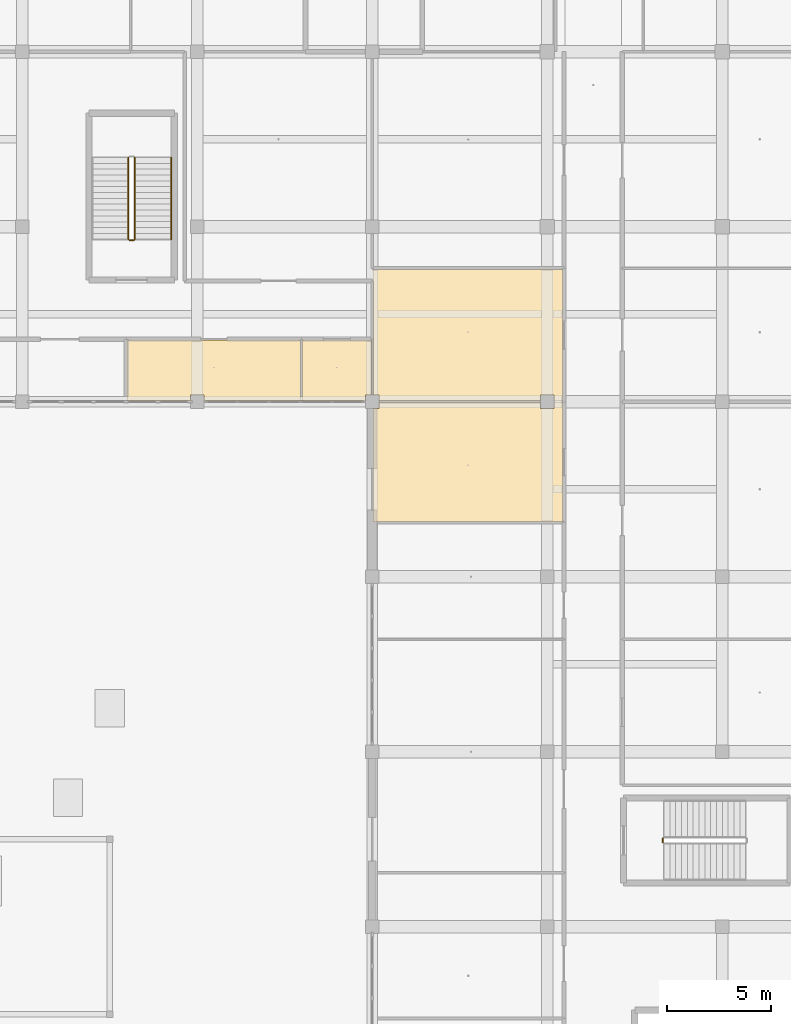
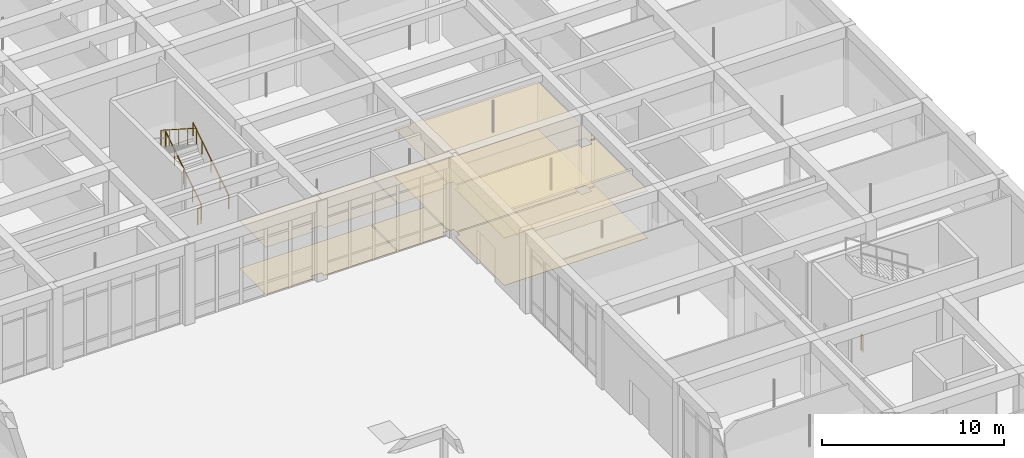
# One storey, part 163 of 167: 8 coverings, 5 railings.
"""IFC4 building model written with IfcOpenShell, lengths in metres."""

from ifc_helpers import new_model, si_unit, direction, frame, origin, origin_2d, place, context, subcontext, project, spatial, polyline, circle, outline, extrude, material, layer, layer_set, type_object, element, save


model = new_model("IFC4")

# Units and contexts
model_context = context("Model", 3, precision=1e-05, world=origin(), true_north=direction((0.0, 1.0)))
body_context = subcontext(model_context, "Body", "Model", "MODEL_VIEW")
ifc_project = project(units=[si_unit("LENGTHUNIT", "METRE"), si_unit("AREAUNIT", "SQUARE_METRE"), si_unit("VOLUMEUNIT", "CUBIC_METRE"), si_unit("PLANEANGLEUNIT", "RADIAN"), si_unit("MASSUNIT", "GRAM", prefix="KILO")], contexts=[model_context])

# Site, building, storey
site_placement = place(None, origin())
site = spatial("IfcSite", under=ifc_project, at=site_placement, CompositionType="ELEMENT")
building_placement = place(site_placement, origin())
building = spatial("IfcBuilding", under=site, at=building_placement, Name="Varncliffe General Hospital", CompositionType="ELEMENT")
storey_placement = place(building_placement, origin())
storey = spatial("IfcBuildingStorey", under=building, at=storey_placement, Name="L00", CompositionType="ELEMENT", Elevation=0.0)

# Coverings
ifc_material_1 = material(Name="Hygienic antimicrobial acoustic suspended ceiling tile", Category="gypsum")
ifc_layer_1 = layer(ifc_material_1, 0.02490234375)
ifc_layer_set_1 = layer_set([ifc_layer_1], Name="Hygienic antimicrobial acoustic suspended ceiling tile")
covering_type_1 = type_object("IfcCoveringType", Name="Antimicrobial Acoustic Suspended Ceiling CLG44", PredefinedType="CEILING", material=ifc_layer_set_1)
covering_1_placement = place(storey_placement, frame((0.0, 0.0, 3.175048828125)))
element("IfcCovering", 1, at=covering_1_placement, inside=storey, type_object=covering_type_1, Name="L00 Diagnostic Fluoroscopy and X-Ray Suite 79 Suspended Ceiling", PredefinedType="CEILING", context=body_context, shape_type="SweptSolid", body=[
    extrude(outline(polyline([(139.43994140625, 82.840087890625), (139.43994140625, 85.760009765625), (147.760009765625, 85.760009765625), (147.760009765625, 82.840087890625), (143.125, 82.840087890625), (143.125, 83.125), (142.47509765625, 83.125), (142.47509765625, 82.840087890625), (139.43994140625, 82.840087890625)])), origin(), (0.0, 0.0, 1.0), 0.02490234375),
])
covering_2_placement = place(storey_placement, frame((0.0, 0.0, 3.175048828125)))
element("IfcCovering", 2, at=covering_2_placement, inside=storey, type_object=covering_type_1, Name="L00 Sterile Dispatch and Surgical Prep Room 80 Suspended Ceiling", PredefinedType="CEILING", context=body_context, shape_type="SweptSolid", body=[
    extrude(outline(polyline([(147.840087890625, 82.840087890625), (147.840087890625, 85.760009765625), (151.159912109375, 85.760009765625), (151.159912109375, 83.125), (150.875, 83.125), (150.875, 82.840087890625), (147.840087890625, 82.840087890625)])), origin(), (0.0, 0.0, 1.0), 0.02490234375),
])
covering_3_placement = place(storey_placement, frame((0.0, 0.0, 3.175048828125)))
element("IfcCovering", 3, at=covering_3_placement, inside=storey, type_object=covering_type_1, Name="L00 Orthopaedic Fracture Cast Clinic 98 Suspended Ceiling", PredefinedType="CEILING", context=body_context, shape_type="SweptSolid", body=[
    extrude(outline(polyline([(160.360107421875, 77.0400390625), (151.239990234375, 77.0400390625), (151.239990234375, 82.47509765625), (151.52490234375, 82.47509765625), (151.52490234375, 82.760009765625), (159.27490234375, 82.760009765625), (159.27490234375, 82.47509765625), (159.925048828125, 82.47509765625), (159.925048828125, 82.760009765625), (160.360107421875, 82.760009765625), (160.360107421875, 77.0400390625)])), origin(), (0.0, 0.0, 1.0), 0.02490234375),
])
covering_4_placement = place(storey_placement, frame((0.0, 0.0, 3.175048828125)))
element("IfcCovering", 4, at=covering_4_placement, inside=storey, type_object=covering_type_1, Name="L00 Outpatient Phlebotomy and Pre-Admission Clinic 139 Suspended Ceiling", PredefinedType="CEILING", context=body_context, shape_type="SweptSolid", body=[
    extrude(outline(polyline([(160.360107421875, 89.159912109375), (160.360107421875, 82.840087890625), (159.925048828125, 82.840087890625), (159.925048828125, 83.125), (159.27490234375, 83.125), (159.27490234375, 82.840087890625), (151.52490234375, 82.840087890625), (151.52490234375, 83.125), (151.239990234375, 83.125), (151.239990234375, 89.159912109375), (160.360107421875, 89.159912109375)])), origin(), (0.0, 0.0, 1.0), 0.02490234375),
])
ifc_material_2 = material(Name="Seamless welded hospital sheet linoleum and terrazzo flooring", Category="linoleum")
ifc_layer_2 = layer(ifc_material_2, 0.011962890625)
ifc_layer_set_2 = layer_set([ifc_layer_2], Name="Seamless welded hospital sheet linoleum and terrazzo flooring")
covering_type_2 = type_object("IfcCoveringType", Name="Seamless Hospital Linoleum Flooring FLR19", PredefinedType="FLOORING", material=ifc_layer_set_2)
covering_5_placement = place(storey_placement, origin())
element("IfcCovering", 5, at=covering_5_placement, inside=storey, type_object=covering_type_2, Name="L00 Diagnostic Fluoroscopy and X-Ray Suite 79 Seamless Flooring", PredefinedType="FLOORING", context=body_context, shape_type="SweptSolid", body=[
    extrude(outline(polyline([(139.43994140625, 82.840087890625), (139.43994140625, 85.760009765625), (147.760009765625, 85.760009765625), (147.760009765625, 82.840087890625), (143.125, 82.840087890625), (143.125, 83.125), (142.47509765625, 83.125), (142.47509765625, 82.840087890625), (139.43994140625, 82.840087890625)])), origin(), (0.0, 0.0, 1.0), 0.011962890625),
])
covering_6_placement = place(storey_placement, origin())
element("IfcCovering", 6, at=covering_6_placement, inside=storey, type_object=covering_type_2, Name="L00 Sterile Dispatch and Surgical Prep Room 80 Seamless Flooring", PredefinedType="FLOORING", context=body_context, shape_type="SweptSolid", body=[
    extrude(outline(polyline([(147.840087890625, 82.840087890625), (147.840087890625, 85.760009765625), (151.159912109375, 85.760009765625), (151.159912109375, 83.125), (150.875, 83.125), (150.875, 82.840087890625), (147.840087890625, 82.840087890625)])), origin(), (0.0, 0.0, 1.0), 0.011962890625),
])
covering_7_placement = place(storey_placement, origin())
element("IfcCovering", 7, at=covering_7_placement, inside=storey, type_object=covering_type_2, Name="L00 Orthopaedic Fracture Cast Clinic 98 Seamless Flooring", PredefinedType="FLOORING", context=body_context, shape_type="SweptSolid", body=[
    extrude(outline(polyline([(160.360107421875, 77.0400390625), (151.239990234375, 77.0400390625), (151.239990234375, 82.47509765625), (151.52490234375, 82.47509765625), (151.52490234375, 82.760009765625), (159.27490234375, 82.760009765625), (159.27490234375, 82.47509765625), (159.925048828125, 82.47509765625), (159.925048828125, 82.760009765625), (160.360107421875, 82.760009765625), (160.360107421875, 77.0400390625)])), origin(), (0.0, 0.0, 1.0), 0.011962890625),
])
covering_8_placement = place(storey_placement, origin())
element("IfcCovering", 8, at=covering_8_placement, inside=storey, type_object=covering_type_2, Name="L00 Outpatient Phlebotomy and Pre-Admission Clinic 139 Seamless Flooring", PredefinedType="FLOORING", context=body_context, shape_type="SweptSolid", body=[
    extrude(outline(polyline([(160.360107421875, 89.159912109375), (160.360107421875, 82.840087890625), (159.925048828125, 82.840087890625), (159.925048828125, 83.125), (159.27490234375, 83.125), (159.27490234375, 82.840087890625), (151.52490234375, 82.840087890625), (151.52490234375, 83.125), (151.239990234375, 83.125), (151.239990234375, 89.159912109375), (160.360107421875, 89.159912109375)])), origin(), (0.0, 0.0, 1.0), 0.011962890625),
])

# Railings
ifc_material_3 = material(Name="Powder-coated hospital steel guardrail and handrail", Category="steel")
railing_type_1 = type_object("IfcRailingType", Name="Stair and Ramp Handrail HR46", PredefinedType="HANDRAIL", material=ifc_material_3)
railing_1_placement = place(storey_placement, frame((141.550048828125, 90.60009765625, 0.364013671875)))
element("IfcRailing", 9, at=railing_1_placement, inside=storey, type_object=railing_type_1, Name="L00 ST14 stair handrail 1", PredefinedType="HANDRAIL", context=body_context, shape_type="SweptSolid", body=[
    extrude(circle(Radius=0.02392578125, at=origin_2d()), frame((0.0, 0.0, 0.8759765625), z_axis=(0.0, 0.841171666519, 0.540768182723), x_axis=(-1.0, 0.0, 0.0)), (0.0, 0.0, 1.0), 4.66015625),
    extrude(circle(Radius=0.02099609375, at=origin_2d()), origin(), (0.0, 0.0, 1.0), 0.851806640625),
    extrude(circle(Radius=0.02099609375, at=origin_2d()), frame((0.0, 0.97998046875, 0.6298828125)), (0.0, 0.0, 1.0), 0.851806640625),
    extrude(circle(Radius=0.02099609375, at=origin_2d()), frame((0.0, 1.9599609375, 1.260009765625)), (0.0, 0.0, 1.0), 0.851806640625),
    extrude(circle(Radius=0.02099609375, at=origin_2d()), frame((0.0, 2.93994140625, 1.89013671875)), (0.0, 0.0, 1.0), 0.851806640625),
    extrude(circle(Radius=0.02099609375, at=origin_2d()), frame((0.0, 3.919921875, 2.52001953125)), (0.0, 0.0, 1.0), 0.851806640625),
])
railing_type_2 = type_object("IfcRailingType", Name="Stairwell Guardrail SG49", PredefinedType="GUARDRAIL", material=ifc_material_3)
railing_2_placement = place(storey_placement, frame((165.14990234375, 61.64990234375, 0.0)))
element("IfcRailing", 10, at=railing_2_placement, inside=storey, type_object=railing_type_2, Name="L00 ST07 stair guard 4", PredefinedType="GUARDRAIL", context=body_context, shape_type="SweptSolid", body=[
    extrude(circle(Radius=0.02392578125, at=origin_2d()), frame((0.0, 0.0, 1.076171875), z_axis=(0.0, 1.0, 0.0), x_axis=(-1.0, 0.0, 0.0)), (0.0, 0.0, 1.0), 0.2001953125),
    extrude(circle(Radius=0.02099609375, at=origin_2d()), origin(), (0.0, 0.0, 1.0), 1.052001953125),
    extrude(circle(Radius=0.02099609375, at=origin_2d()), frame((0.0, 0.2001953125, 0.0)), (0.0, 0.0, 1.0), 1.052001953125),
])
railing_3_placement = place(storey_placement, frame((139.800048828125, 90.60009765625, 0.179931640625)))
element("IfcRailing", 11, at=railing_3_placement, inside=storey, type_object=railing_type_2, Name="L00 ST14 stair guard 1", PredefinedType="GUARDRAIL", context=body_context, shape_type="SweptSolid", body=[
    extrude(circle(Radius=0.02392578125, at=origin_2d()), frame((0.0, 0.0, 1.076171875), z_axis=(0.0, 0.841171666519, 0.540768182723), x_axis=(-1.0, 0.0, 0.0)), (0.0, 0.0, 1.0), 4.66015625),
    extrude(circle(Radius=0.02099609375, at=origin_2d()), origin(), (0.0, 0.0, 1.0), 1.052001953125),
    extrude(circle(Radius=0.02099609375, at=origin_2d()), frame((0.0, 0.97998046875, 0.6298828125)), (0.0, 0.0, 1.0), 1.052001953125),
    extrude(circle(Radius=0.02099609375, at=origin_2d()), frame((0.0, 1.9599609375, 1.260009765625)), (0.0, 0.0, 1.0), 1.052001953125),
    extrude(circle(Radius=0.02099609375, at=origin_2d()), frame((0.0, 2.93994140625, 1.89013671875)), (0.0, 0.0, 1.0), 1.052001953125),
    extrude(circle(Radius=0.02099609375, at=origin_2d()), frame((0.0, 3.919921875, 2.52001953125)), (0.0, 0.0, 1.0), 1.052001953125),
])
railing_4_placement = place(storey_placement, frame((139.5, 94.52001953125, 2.8798828125)))
element("IfcRailing", 12, at=railing_4_placement, inside=storey, type_object=railing_type_2, Name="L00 ST14 stair guard 3", PredefinedType="GUARDRAIL", context=body_context, shape_type="SweptSolid", body=[
    extrude(circle(Radius=0.02392578125, at=origin_2d()), frame((0.0, 0.0, 1.076171875), z_axis=(0.0, -0.841171666519, 0.540768182723), x_axis=(1.0, 0.0, 0.0)), (0.0, 0.0, 1.0), 4.66015625),
    extrude(circle(Radius=0.02099609375, at=origin_2d()), origin(), (0.0, 0.0, 1.0), 1.052001953125),
    extrude(circle(Radius=0.02099609375, at=origin_2d()), frame((0.0, -0.97998046875, 0.6298828125)), (0.0, 0.0, 1.0), 1.052001953125),
    extrude(circle(Radius=0.02099609375, at=origin_2d()), frame((0.0, -1.9599609375, 1.260009765625)), (0.0, 0.0, 1.0), 1.052001953125),
    extrude(circle(Radius=0.02099609375, at=origin_2d()), frame((0.0, -2.93994140625, 1.89013671875)), (0.0, 0.0, 1.0), 1.052001953125),
    extrude(circle(Radius=0.02099609375, at=origin_2d()), frame((0.0, -3.919921875, 2.52001953125)), (0.0, 0.0, 1.0), 1.052001953125),
])
railing_5_placement = place(storey_placement, frame((139.75, 90.550048828125, 0.0)))
element("IfcRailing", 13, at=railing_5_placement, inside=storey, type_object=railing_type_2, Name="L00 ST14 stair guard 4", PredefinedType="GUARDRAIL", context=body_context, shape_type="SweptSolid", body=[
    extrude(circle(Radius=0.02392578125, at=origin_2d()), frame((0.0, 0.0, 1.076171875), z_axis=(-1.0, 0.0, 0.0), x_axis=(0.0, -1.0, 0.0)), (0.0, 0.0, 1.0), 0.199951171875),
    extrude(circle(Radius=0.02099609375, at=origin_2d()), origin(), (0.0, 0.0, 1.0), 1.052001953125),
    extrude(circle(Radius=0.02099609375, at=origin_2d()), frame((-0.199951171875, 0.0, 0.0)), (0.0, 0.0, 1.0), 1.052001953125),
])

save(model, "model.ifc")
